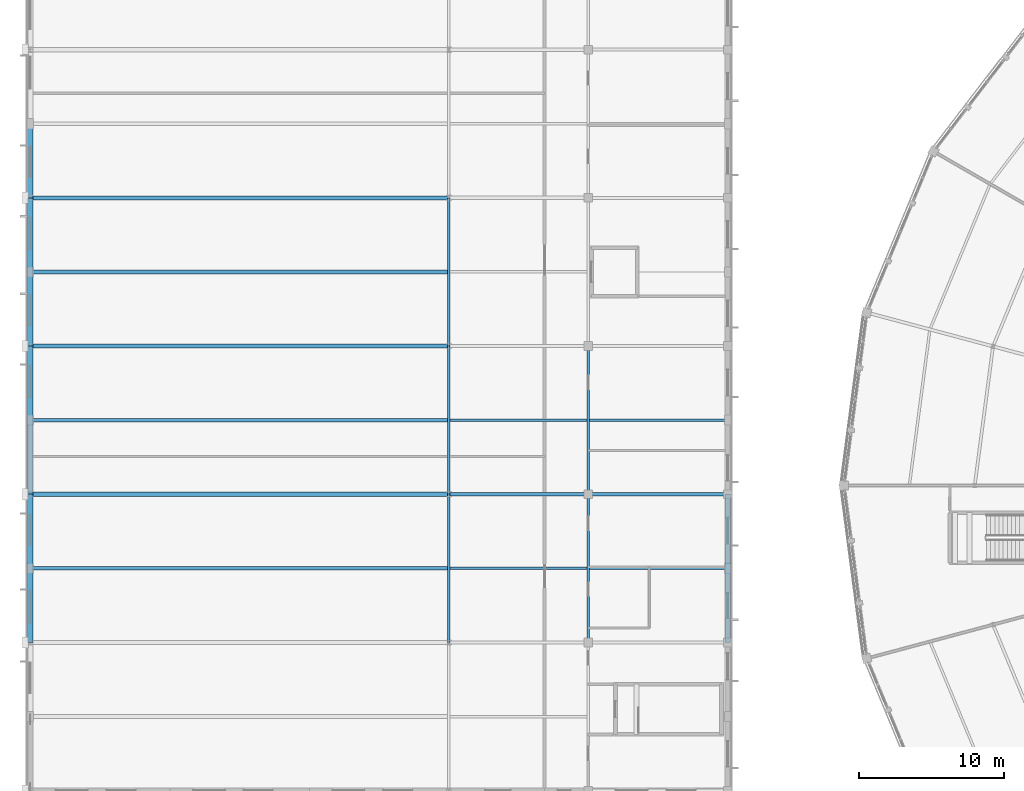
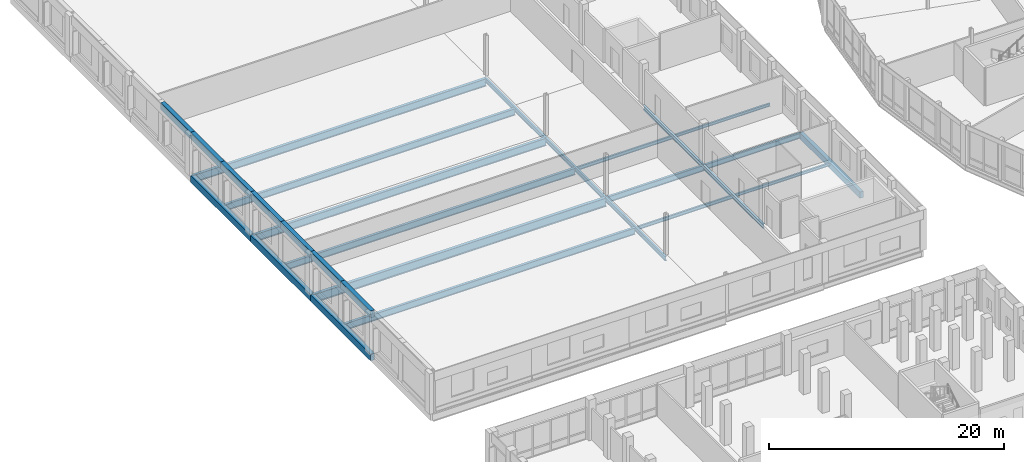
# One storey, part 58 of 185: 28 beams.
"""IFC4 building model written with IfcOpenShell, lengths in metres."""

from ifc_helpers import new_model, si_unit, direction, frame, origin, origin_2d, place, context, subcontext, project, spatial, rectangle, i_section, extrude, material, material_profile, profile_set, type_object, element, save


model = new_model("IFC4")

# Units and contexts
model_context = context("Model", 3, precision=1e-05, world=origin(), true_north=direction((0.0, 1.0)))
body_context = subcontext(model_context, "Body", "Model", "MODEL_VIEW")
ifc_project = project(units=[si_unit("LENGTHUNIT", "METRE"), si_unit("AREAUNIT", "SQUARE_METRE"), si_unit("VOLUMEUNIT", "CUBIC_METRE"), si_unit("PLANEANGLEUNIT", "RADIAN"), si_unit("MASSUNIT", "GRAM", prefix="KILO")], contexts=[model_context])

# Site, building, storey
site_placement = place(None, origin())
site = spatial("IfcSite", under=ifc_project, at=site_placement, CompositionType="ELEMENT")
building_placement = place(site_placement, origin())
building = spatial("IfcBuilding", under=site, at=building_placement, Name="Vondelvale Polytechnic", CompositionType="ELEMENT")
storey_placement = place(building_placement, frame((0.0, 0.0, 9.60009765625)))
storey = spatial("IfcBuildingStorey", under=building, at=storey_placement, Name="L02", CompositionType="ELEMENT", Elevation=9.60009765625)

# Beams
ifc_material_1 = material(Name="Steel 300PLUS (fy = 300 MPa)", Category="steel")
ifc_material_profile_1 = material_profile(ifc_material_1, i_section(OverallWidth=0.18994140625, OverallDepth=0.45703125, WebThickness=0.009033203125, FlangeThickness=0.014404296875, FilletRadius=0.011474609375, at=origin_2d()), Name="460UB74.6")
ifc_profile_set_1 = profile_set([ifc_material_profile_1], Name="Steel 300PLUS (fy = 300 MPa)")
beam_type_1 = type_object("IfcBeamType", Name="BM-UB460", PredefinedType="BEAM", material=ifc_profile_set_1)
beam_1_placement = place(storey_placement, frame((28.800048828125, 61.199951171875, -0.508544921875), z_axis=(0.0, 1.0, 0.0), x_axis=(-1.0, 0.0, 0.0)))
element("IfcBeam", 1, at=beam_1_placement, inside=storey, type_object=beam_type_1, Name="L02 B B-13", PredefinedType="BEAM", context=body_context, shape_type="SweptSolid", body=[
    extrude(i_section(OverallWidth=0.18994140625, OverallDepth=0.45703125, WebThickness=0.009033203125, FlangeThickness=0.014404296875, FilletRadius=0.011474609375, at=origin_2d()), origin(), (0.0, 0.0, 1.0), 10.199951171875),
])
beam_2_placement = place(storey_placement, frame((28.800048828125, 71.39990234375, -0.508544921875), z_axis=(0.0, 1.0, 0.0), x_axis=(-1.0, 0.0, 0.0)))
element("IfcBeam", 2, at=beam_2_placement, inside=storey, type_object=beam_type_1, Name="L02 B B-13", PredefinedType="BEAM", context=body_context, shape_type="SweptSolid", body=[
    extrude(i_section(OverallWidth=0.18994140625, OverallDepth=0.45703125, WebThickness=0.009033203125, FlangeThickness=0.014404296875, FilletRadius=0.011474609375, at=origin_2d()), origin(), (0.0, 0.0, 1.0), 10.2001953125),
])
for number, where, z_axis, x_axis, name in (
    (3, (28.800048828125, 81.60009765625, -0.508544921875), (0.0, 1.0, 0.0), (-1.0, 0.0, 0.0), "L02 B B-13"),
    (4, (38.39990234375, 61.199951171875, -0.508544921875), (0.0, 1.0, 0.0), (-1.0, 0.0, 0.0), "L02 B B-13"),
):
    element("IfcBeam", number, at=place(storey_placement, frame(where, z_axis=z_axis, x_axis=x_axis)), inside=storey, type_object=beam_type_1, Name=name, PredefinedType="BEAM", context=body_context, shape_type="SweptSolid", body=[
        extrude(i_section(OverallWidth=0.18994140625, OverallDepth=0.45703125, WebThickness=0.009033203125, FlangeThickness=0.014404296875, FilletRadius=0.011474609375, at=origin_2d()), origin(), (0.0, 0.0, 1.0), 10.199951171875),
    ])
beam_3_placement = place(storey_placement, frame((38.39990234375, 71.39990234375, -0.508544921875), z_axis=(0.0, 1.0, 0.0), x_axis=(-1.0, 0.0, 0.0)))
element("IfcBeam", 5, at=beam_3_placement, inside=storey, type_object=beam_type_1, Name="L02 B B-13", PredefinedType="BEAM", context=body_context, shape_type="SweptSolid", body=[
    extrude(i_section(OverallWidth=0.18994140625, OverallDepth=0.45703125, WebThickness=0.009033203125, FlangeThickness=0.014404296875, FilletRadius=0.011474609375, at=origin_2d()), origin(), (0.0, 0.0, 1.0), 10.2001953125),
])
ifc_material_profile_2 = material_profile(ifc_material_1, i_section(OverallWidth=0.208984375, OverallDepth=0.528076171875, WebThickness=0.009521484375, FlangeThickness=0.01318359375, FilletRadius=0.013916015625, at=origin_2d()), Name="530UB82.0")
ifc_profile_set_2 = profile_set([ifc_material_profile_2], Name="Steel 300PLUS (fy = 300 MPa)")
beam_type_2 = type_object("IfcBeamType", Name="BM-UB530L", PredefinedType="BEAM", material=ifc_profile_set_2)
beam_4_placement = place(storey_placement, frame((38.39990234375, 71.39990234375, -0.544189453125), z_axis=(1.0, 0.0, 0.0), x_axis=(0.0, 1.0, 0.0)))
element("IfcBeam", 6, at=beam_4_placement, inside=storey, type_object=beam_type_2, Name="L02 B B-21", PredefinedType="BEAM", context=body_context, shape_type="SweptSolid", body=[
    extrude(i_section(OverallWidth=0.208984375, OverallDepth=0.528076171875, WebThickness=0.009521484375, FlangeThickness=0.01318359375, FilletRadius=0.013916015625, at=origin_2d()), origin(), (0.0, 0.0, 1.0), 9.60009765625),
])
ifc_material_profile_3 = material_profile(ifc_material_1, i_section(OverallWidth=0.22802734375, OverallDepth=0.60205078125, WebThickness=0.010498046875, FlangeThickness=0.014892578125, FilletRadius=0.013916015625, at=origin_2d()), Name="610UB101")
ifc_profile_set_3 = profile_set([ifc_material_profile_3], Name="Steel 300PLUS (fy = 300 MPa)")
beam_type_3 = type_object("IfcBeamType", Name="BM-UB610", PredefinedType="BEAM", material=ifc_profile_set_3)
beam_5_placement = place(storey_placement, frame((28.800048828125, 71.39990234375, -0.5810546875), z_axis=(1.0, 0.0, 0.0), x_axis=(0.0, 1.0, 0.0)))
element("IfcBeam", 7, at=beam_5_placement, inside=storey, type_object=beam_type_3, Name="L02 B B-10", PredefinedType="BEAM", context=body_context, shape_type="SweptSolid", body=[
    extrude(i_section(OverallWidth=0.22802734375, OverallDepth=0.60205078125, WebThickness=0.010498046875, FlangeThickness=0.014892578125, FilletRadius=0.013916015625, at=origin_2d()), origin(), (0.0, 0.0, 1.0), 9.599853515625),
])
ifc_material_profile_4 = material_profile(ifc_material_1, i_section(OverallWidth=0.25, OverallDepth=0.69189453125, WebThickness=0.009033203125, FlangeThickness=0.011962890625, FilletRadius=0.013916015625, at=origin_2d()), Name="700WB115")
ifc_profile_set_4 = profile_set([ifc_material_profile_4], Name="Steel 300PLUS (fy = 300 MPa)")
beam_type_4 = type_object("IfcBeamType", Name="BM-WB700L", PredefinedType="BEAM", material=ifc_profile_set_4)
for number, where, z_axis, x_axis, name in (
    (8, (0.199951171875, 66.300048828125, -0.6259765625), (1.0, 0.0, 0.0), (0.0, 1.0, 0.0), "L02 J B-19"),
    (9, (0.199951171875, 76.5, -0.6259765625), (1.0, 0.0, 0.0), (0.0, 1.0, 0.0), "L02 J B-19"),
    (10, (0.199951171875, 86.699951171875, -0.6259765625), (1.0, 0.0, 0.0), (0.0, 1.0, 0.0), "L02 J B-19"),
):
    element("IfcBeam", number, at=place(storey_placement, frame(where, z_axis=z_axis, x_axis=x_axis)), inside=storey, type_object=beam_type_4, Name=name, PredefinedType="BEAM", context=body_context, shape_type="SweptSolid", body=[
        extrude(i_section(OverallWidth=0.25, OverallDepth=0.69189453125, WebThickness=0.009033203125, FlangeThickness=0.011962890625, FilletRadius=0.013916015625, at=origin_2d()), origin(), (0.0, 0.0, 1.0), 28.5),
    ])
ifc_material_profile_5 = material_profile(ifc_material_1, i_section(OverallWidth=0.27490234375, OverallDepth=0.7919921875, WebThickness=0.009033203125, FlangeThickness=0.01611328125, FilletRadius=0.013916015625, at=origin_2d()), Name="800WB146")
ifc_profile_set_5 = profile_set([ifc_material_profile_5], Name="Steel 300PLUS (fy = 300 MPa)")
beam_type_5 = type_object("IfcBeamType", Name="BM-WB800L", PredefinedType="BEAM", material=ifc_profile_set_5)
for number, where, z_axis, x_axis, name in (
    (11, (0.0, 81.60009765625, -0.676025390625), (1.0, 0.0, 0.0), (0.0, 1.0, 0.0), "L02 B B-18"),
    (12, (0.0, 91.800048828125, -0.676025390625), (1.0, 0.0, 0.0), (0.0, 1.0, 0.0), "L02 B B-18"),
):
    element("IfcBeam", number, at=place(storey_placement, frame(where, z_axis=z_axis, x_axis=x_axis)), inside=storey, type_object=beam_type_5, Name=name, PredefinedType="BEAM", context=body_context, shape_type="SweptSolid", body=[
        extrude(i_section(OverallWidth=0.27490234375, OverallDepth=0.7919921875, WebThickness=0.009033203125, FlangeThickness=0.01611328125, FilletRadius=0.013916015625, at=origin_2d()), origin(), (0.0, 0.0, 1.0), 28.800048828125),
    ])
ifc_material_profile_6 = material_profile(ifc_material_1, i_section(OverallWidth=0.300048828125, OverallDepth=0.89990234375, WebThickness=0.011962890625, FlangeThickness=0.02392578125, FilletRadius=0.01611328125, at=origin_2d()), Name="900WB218")
ifc_profile_set_6 = profile_set([ifc_material_profile_6], Name="Steel 300PLUS (fy = 300 MPa)")
beam_type_6 = type_object("IfcBeamType", Name="BM-WB900", PredefinedType="BEAM", material=ifc_profile_set_6)
beam_6_placement = place(storey_placement, frame((0.0, 71.39990234375, -0.72998046875), z_axis=(1.0, 0.0, 0.0), x_axis=(0.0, 1.0, 0.0)))
element("IfcBeam", 13, at=beam_6_placement, inside=storey, type_object=beam_type_6, Name="L02 B B-17", PredefinedType="BEAM", context=body_context, shape_type="SweptSolid", body=[
    extrude(i_section(OverallWidth=0.300048828125, OverallDepth=0.89990234375, WebThickness=0.011962890625, FlangeThickness=0.02392578125, FilletRadius=0.01611328125, at=origin_2d()), origin(), (0.0, 0.0, 1.0), 28.800048828125),
])
ifc_material_profile_7 = material_profile(ifc_material_1, i_section(OverallWidth=0.1650390625, OverallDepth=0.303955078125, WebThickness=0.006103515625, FlangeThickness=0.01025390625, FilletRadius=0.011474609375, at=origin_2d()), Name="310UB40.4")
ifc_profile_set_7 = profile_set([ifc_material_profile_7], Name="Steel 300PLUS (fy = 300 MPa)")
beam_type_7 = type_object("IfcBeamType", Name="JST-UB310", PredefinedType="JOIST", material=ifc_profile_set_7)
for number, where, z_axis, x_axis, name in (
    (14, (38.5, 66.300048828125, -0.43212890625), (1.0, 0.0, 0.0), (0.0, 1.0, 0.0), "L02 J J-05"),
    (15, (38.5, 76.5, -0.43212890625), (1.0, 0.0, 0.0), (0.0, 1.0, 0.0), "L02 J J-05"),
):
    element("IfcBeam", number, at=place(storey_placement, frame(where, z_axis=z_axis, x_axis=x_axis)), inside=storey, type_object=beam_type_7, Name=name, PredefinedType="JOIST", context=body_context, shape_type="SweptSolid", body=[
        extrude(i_section(OverallWidth=0.1650390625, OverallDepth=0.303955078125, WebThickness=0.006103515625, FlangeThickness=0.01025390625, FilletRadius=0.011474609375, at=origin_2d()), origin(), (0.0, 0.0, 1.0), 9.320068359375),
    ])
ifc_material_profile_8 = material_profile(ifc_material_1, i_section(OverallWidth=0.1708984375, OverallDepth=0.35595703125, WebThickness=0.00732421875, FlangeThickness=0.011474609375, FilletRadius=0.011474609375, at=origin_2d()), Name="360UB50.7")
ifc_profile_set_8 = profile_set([ifc_material_profile_8], Name="Steel 300PLUS (fy = 300 MPa)")
beam_type_8 = type_object("IfcBeamType", Name="JST-UB360", PredefinedType="JOIST", material=ifc_profile_set_8)
for number, where, z_axis, x_axis, name in (
    (16, (28.89990234375, 66.300048828125, -0.4580078125), (1.0, 0.0, 0.0), (0.0, 1.0, 0.0), "L02 J J-04"),
    (17, (28.89990234375, 76.5, -0.4580078125), (1.0, 0.0, 0.0), (0.0, 1.0, 0.0), "L02 J J-04"),
):
    element("IfcBeam", number, at=place(storey_placement, frame(where, z_axis=z_axis, x_axis=x_axis)), inside=storey, type_object=beam_type_8, Name=name, PredefinedType="JOIST", context=body_context, shape_type="SweptSolid", body=[
        extrude(i_section(OverallWidth=0.1708984375, OverallDepth=0.35595703125, WebThickness=0.00732421875, FlangeThickness=0.011474609375, FilletRadius=0.011474609375, at=origin_2d()), origin(), (0.0, 0.0, 1.0), 9.400146484375),
    ])
ifc_material_2 = material(Name="Precast concrete N40 (f'c = 40 MPa)", Category="concrete")
ifc_material_profile_9 = material_profile(ifc_material_2, rectangle(XDim=0.35009765625, YDim=0.64990234375, at=origin_2d()), Name="RC-SPN-350x650")
ifc_profile_set_9 = profile_set([ifc_material_profile_9], Name="Precast concrete N40 (f'c = 40 MPa)")
beam_type_9 = type_object("IfcBeamType", Name="SPN-PRE350x650", PredefinedType="SPANDREL", material=ifc_profile_set_9)
beam_7_placement = place(storey_placement, frame((48.0, 61.199951171875, -0.60498046875), z_axis=(0.0, 1.0, 0.0), x_axis=(-1.0, 0.0, 0.0)))
element("IfcBeam", 18, at=beam_7_placement, inside=storey, type_object=beam_type_9, Name="L02 B SP-02", PredefinedType="SPANDREL", context=body_context, shape_type="SweptSolid", body=[
    extrude(rectangle(XDim=0.35009765625, YDim=0.64990234375, at=origin_2d()), origin(), (0.0, 0.0, 1.0), 10.199951171875),
])
ifc_material_profile_10 = material_profile(ifc_material_2, rectangle(XDim=0.39990234375, YDim=0.699951171875, at=origin_2d()), Name="RC-SPN-400x700")
ifc_profile_set_10 = profile_set([ifc_material_profile_10], Name="Precast concrete N40 (f'c = 40 MPa)")
beam_type_10 = type_object("IfcBeamType", Name="SPN-PRE400x700", PredefinedType="SPANDREL", material=ifc_profile_set_10)
beam_8_placement = place(storey_placement, frame((0.0, 61.199951171875, -0.630126953125), z_axis=(0.0, 1.0, 0.0), x_axis=(-1.0, 0.0, 0.0)))
element("IfcBeam", 19, at=beam_8_placement, inside=storey, type_object=beam_type_10, Name="L02 SP SP-01", PredefinedType="SPANDREL", context=body_context, shape_type="SweptSolid", body=[
    extrude(rectangle(XDim=0.39990234375, YDim=0.699951171875, at=origin_2d()), origin(), (0.0, 0.0, 1.0), 10.199951171875),
])
beam_9_placement = place(storey_placement, frame((0.0, 71.39990234375, -0.630126953125), z_axis=(0.0, 1.0, 0.0), x_axis=(-1.0, 0.0, 0.0)))
element("IfcBeam", 20, at=beam_9_placement, inside=storey, type_object=beam_type_10, Name="L02 SP SP-01", PredefinedType="SPANDREL", context=body_context, shape_type="SweptSolid", body=[
    extrude(rectangle(XDim=0.39990234375, YDim=0.699951171875, at=origin_2d()), origin(), (0.0, 0.0, 1.0), 10.2001953125),
])
beam_10_placement = place(storey_placement, frame((0.0, 81.60009765625, -0.630126953125), z_axis=(0.0, 1.0, 0.0), x_axis=(-1.0, 0.0, 0.0)))
element("IfcBeam", 21, at=beam_10_placement, inside=storey, type_object=beam_type_10, Name="L02 SP SP-01", PredefinedType="SPANDREL", context=body_context, shape_type="SweptSolid", body=[
    extrude(rectangle(XDim=0.39990234375, YDim=0.699951171875, at=origin_2d()), origin(), (0.0, 0.0, 1.0), 10.199951171875),
])
beam_11_placement = place(storey_placement, frame((0.0, 61.199951171875, 3.849853515625), z_axis=(0.0, 1.0, 0.0), x_axis=(-1.0, 0.0, 0.0)))
element("IfcBeam", 22, at=beam_11_placement, inside=storey, type_object=beam_type_10, Name="L02 SP SP-01", PredefinedType="SPANDREL", context=body_context, shape_type="SweptSolid", body=[
    extrude(rectangle(XDim=0.39990234375, YDim=0.699951171875, at=origin_2d()), origin(), (0.0, 0.0, 1.0), 5.10009765625),
])
beam_12_placement = place(storey_placement, frame((0.0, 66.300048828125, 3.849853515625), z_axis=(0.0, 1.0, 0.0), x_axis=(-1.0, 0.0, 0.0)))
element("IfcBeam", 23, at=beam_12_placement, inside=storey, type_object=beam_type_10, Name="L02 SP SP-01", PredefinedType="SPANDREL", context=body_context, shape_type="SweptSolid", body=[
    extrude(rectangle(XDim=0.39990234375, YDim=0.699951171875, at=origin_2d()), origin(), (0.0, 0.0, 1.0), 5.099853515625),
])
for number, where, z_axis, x_axis, name in (
    (24, (0.0, 71.39990234375, 3.849853515625), (0.0, 1.0, 0.0), (-1.0, 0.0, 0.0), "L02 SP SP-01"),
    (25, (0.0, 76.5, 3.849853515625), (0.0, 1.0, 0.0), (-1.0, 0.0, 0.0), "L02 SP SP-01"),
):
    element("IfcBeam", number, at=place(storey_placement, frame(where, z_axis=z_axis, x_axis=x_axis)), inside=storey, type_object=beam_type_10, Name=name, PredefinedType="SPANDREL", context=body_context, shape_type="SweptSolid", body=[
        extrude(rectangle(XDim=0.39990234375, YDim=0.699951171875, at=origin_2d()), origin(), (0.0, 0.0, 1.0), 5.10009765625),
    ])
beam_13_placement = place(storey_placement, frame((0.0, 81.60009765625, 3.849853515625), z_axis=(0.0, 1.0, 0.0), x_axis=(-1.0, 0.0, 0.0)))
element("IfcBeam", 26, at=beam_13_placement, inside=storey, type_object=beam_type_10, Name="L02 SP SP-01", PredefinedType="SPANDREL", context=body_context, shape_type="SweptSolid", body=[
    extrude(rectangle(XDim=0.39990234375, YDim=0.699951171875, at=origin_2d()), origin(), (0.0, 0.0, 1.0), 5.099853515625),
])
beam_14_placement = place(storey_placement, frame((0.0, 86.699951171875, 3.849853515625), z_axis=(0.0, 1.0, 0.0), x_axis=(-1.0, 0.0, 0.0)))
element("IfcBeam", 27, at=beam_14_placement, inside=storey, type_object=beam_type_10, Name="L02 SP SP-01", PredefinedType="SPANDREL", context=body_context, shape_type="SweptSolid", body=[
    extrude(rectangle(XDim=0.39990234375, YDim=0.699951171875, at=origin_2d()), origin(), (0.0, 0.0, 1.0), 5.10009765625),
])
beam_15_placement = place(storey_placement, frame((0.0, 91.800048828125, 3.849853515625), z_axis=(0.0, 1.0, 0.0), x_axis=(-1.0, 0.0, 0.0)))
element("IfcBeam", 28, at=beam_15_placement, inside=storey, type_object=beam_type_10, Name="L02 SP SP-01", PredefinedType="SPANDREL", context=body_context, shape_type="SweptSolid", body=[
    extrude(rectangle(XDim=0.39990234375, YDim=0.699951171875, at=origin_2d()), origin(), (0.0, 0.0, 1.0), 5.099853515625),
])

save(model, "model.ifc")
